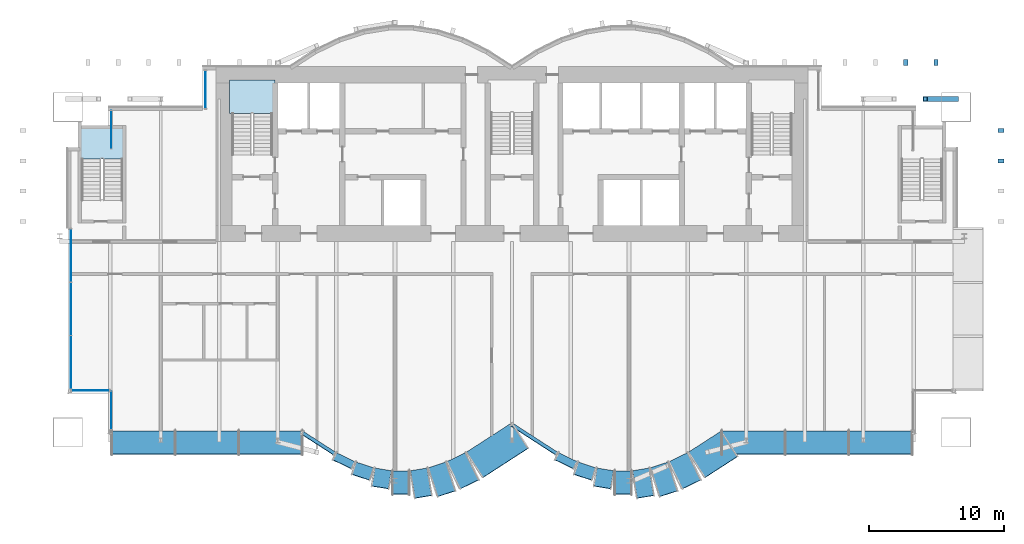
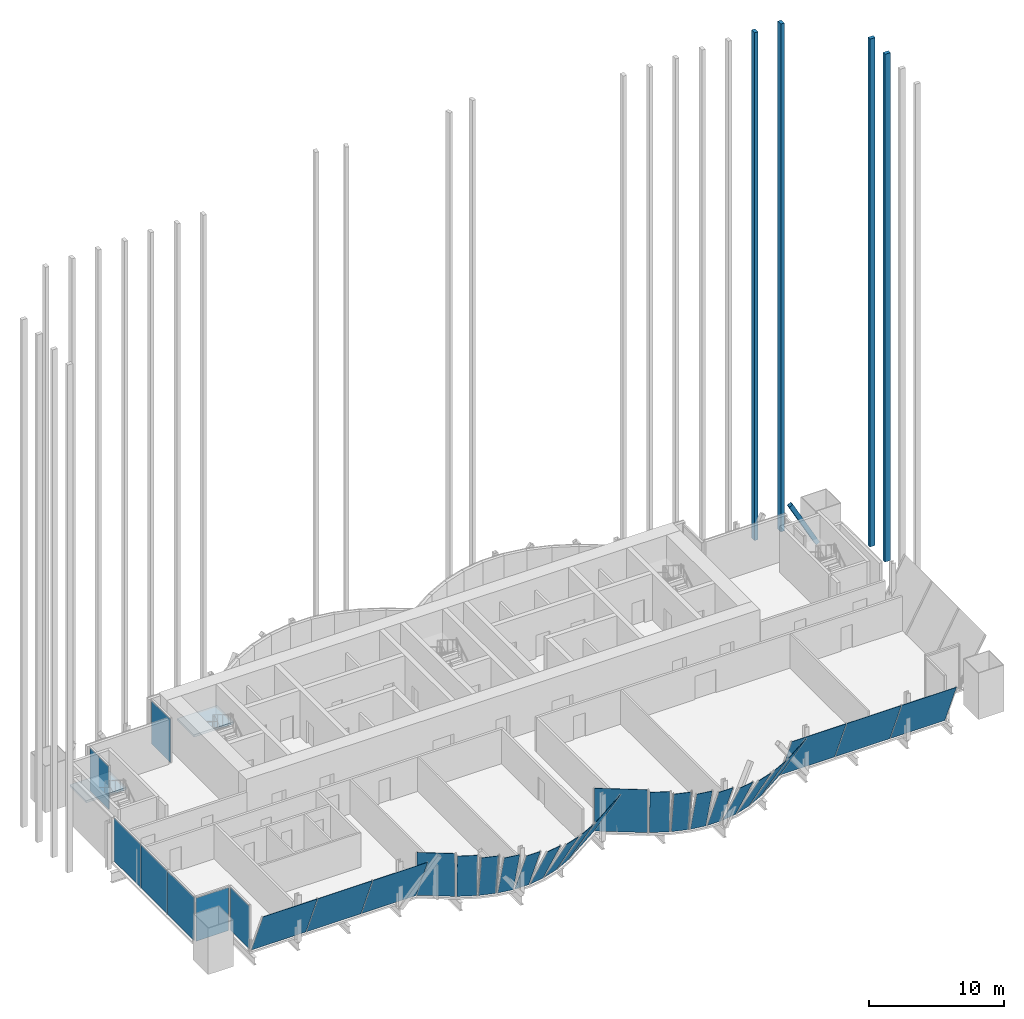
# One storey, part 22 of 28: 31 plates, 5 members, 2 slabs, 29 elements without a shape of their own.
"""IFC4 building model written with IfcOpenShell, lengths in metres."""

from ifc_helpers import new_model, si_unit, direction, frame, origin, origin_2d, place, context, subcontext, project, spatial, polyline, rectangle, hollow_rectangle, outline, extrude, material, layer, layer_set, material_profile, profile_set, type_object, element, aggregate, save


model = new_model("IFC4")

# Units and contexts
model_context = context("Model", 3, precision=1e-05, world=origin(), true_north=direction((0.0, 1.0)))
body_context = subcontext(model_context, "Body", "Model", "MODEL_VIEW")
ifc_project = project(units=[si_unit("LENGTHUNIT", "METRE"), si_unit("AREAUNIT", "SQUARE_METRE"), si_unit("VOLUMEUNIT", "CUBIC_METRE"), si_unit("PLANEANGLEUNIT", "RADIAN"), si_unit("MASSUNIT", "GRAM", prefix="KILO")], contexts=[model_context])

# Site, building, storey
site_placement = place(None, origin())
site = spatial("IfcSite", under=ifc_project, at=site_placement, CompositionType="ELEMENT")
building_placement = place(site_placement, origin())
building = spatial("IfcBuilding", under=site, at=building_placement, Name="Bicima Exchange Tower", CompositionType="ELEMENT")
storey_placement = place(building_placement, frame((0.0, 0.0, 241.39990234375)))
storey = spatial("IfcBuildingStorey", under=building, at=storey_placement, Name="L54", CompositionType="ELEMENT", Elevation=241.39990234375)

# Member
ifc_material_1 = material(Name="Steel ASTM A572 Gr 50", Category="steel")
ifc_material_profile_1 = material_profile(ifc_material_1, hollow_rectangle(XDim=0.355712890625, YDim=0.355712890625, WallThickness=0.0146484375, at=origin_2d()))
ifc_profile_set_1 = profile_set([ifc_material_profile_1], Name="Steel ASTM A572 Gr 50")
member_type_1 = type_object("IfcMemberType", Name="Mega brace HSS14x14x5/8", PredefinedType="BRACE", material=ifc_profile_set_1)
member_1_placement = place(storey_placement, frame((33.0, -2.39990234375, 0.0), z_axis=(-0.480305284586, 0.0, 0.877101381597), x_axis=(0.0, -1.0, 0.0)))
element("IfcMember", 1, at=member_1_placement, inside=storey, type_object=member_type_1, Name="Mega brace rear", PredefinedType="BRACE", context=body_context, shape_type="SweptSolid", body=[
    extrude(hollow_rectangle(XDim=0.355712890625, YDim=0.355712890625, WallThickness=0.0146484375, at=origin_2d()), origin(), (0.0, 0.0, 1.0), 4.788818359375),
])

# Curtain wall, members
ifc_material_2 = material(Name="Anodised bronze aluminium", Category="aluminium")
curtain_wall_type_1 = type_object("IfcCurtainWallType", Name="Rear blade screen", PredefinedType="NOTDEFINED", material=ifc_material_2)
curtain_wall_1_placement = place(storey_placement, origin())
curtain_wall_1 = element("IfcCurtainWall", 2, at=curtain_wall_1_placement, inside=storey, type_object=curtain_wall_type_1, Name="Rear blade screen L54-L64 E", PredefinedType="NOTDEFINED")
ifc_material_profile_2 = material_profile(ifc_material_2, rectangle(XDim=0.449951171875, YDim=0.300048828125, at=origin_2d()))
ifc_profile_set_2 = profile_set([ifc_material_profile_2], Name="Anodised bronze aluminium")
member_type_2 = type_object("IfcMemberType", Name="Rear blade fin 450 x 300", PredefinedType="USERDEFINED", material=ifc_profile_set_2)
member_2_placement = place(storey_placement, frame((29.25, 0.324951171875, 0.0), z_axis=(0.0, 0.0, 1.0), x_axis=(0.0, 1.0, 0.0)))
member_2 = element("IfcMember", 3, at=member_2_placement, type_object=member_type_2, Name="Rear blade fin L54-L64 18", ObjectType="FIN", PredefinedType="USERDEFINED", context=body_context, shape_type="SweptSolid", body=[
    extrude(rectangle(XDim=0.449951171875, YDim=0.300048828125, at=origin_2d()), origin(), (0.0, 0.0, 1.0), 46.0),
])
member_3_placement = place(storey_placement, frame((31.5, 0.324951171875, 0.0), z_axis=(0.0, 0.0, 1.0), x_axis=(0.0, 1.0, 0.0)))
member_3 = element("IfcMember", 4, at=member_3_placement, type_object=member_type_2, Name="Rear blade fin L54-L64 19", ObjectType="FIN", PredefinedType="USERDEFINED", context=body_context, shape_type="SweptSolid", body=[
    extrude(rectangle(XDim=0.449951171875, YDim=0.300048828125, at=origin_2d()), origin(), (0.0, 0.0, 1.0), 46.0),
])
aggregate(curtain_wall_1, [member_2, member_3])

curtain_wall_2_placement = place(storey_placement, origin())
curtain_wall_2 = element("IfcCurtainWall", 5, at=curtain_wall_2_placement, inside=storey, type_object=curtain_wall_type_1, Name="End blade screen L54-L64", PredefinedType="NOTDEFINED")
member_4_placement = place(storey_placement, frame((36.324951171875, -7.0, 0.0), z_axis=(0.0, 0.0, 1.0), x_axis=(1.0, 0.0, 0.0)))
member_4 = element("IfcMember", 6, at=member_4_placement, type_object=member_type_2, Name="End blade fin L54-L64 3", ObjectType="FIN", PredefinedType="USERDEFINED", context=body_context, shape_type="SweptSolid", body=[
    extrude(rectangle(XDim=0.449951171875, YDim=0.300048828125, at=origin_2d()), origin(), (0.0, 0.0, 1.0), 46.0),
])
member_5_placement = place(storey_placement, frame((36.324951171875, -4.75, 0.0), z_axis=(0.0, 0.0, 1.0), x_axis=(1.0, 0.0, 0.0)))
member_5 = element("IfcMember", 7, at=member_5_placement, type_object=member_type_2, Name="End blade fin L54-L64 4", ObjectType="FIN", PredefinedType="USERDEFINED", context=body_context, shape_type="SweptSolid", body=[
    extrude(rectangle(XDim=0.449951171875, YDim=0.300048828125, at=origin_2d()), origin(), (0.0, 0.0, 1.0), 46.0),
])
aggregate(curtain_wall_2, [member_4, member_5])

# Curtain wall, plates
curtain_wall_type_2 = type_object("IfcCurtainWallType", Name="End face glass wall", PredefinedType="NOTDEFINED", material=ifc_material_2)
curtain_wall_3_placement = place(storey_placement, origin())
curtain_wall_3 = element("IfcCurtainWall", 8, at=curtain_wall_3_placement, inside=storey, type_object=curtain_wall_type_2, Name="End face glass wall L54 run 6", PredefinedType="NOTDEFINED")
ifc_material_3 = material(Name="Bronze tinted glass", Category="glass")
ifc_layer_1 = layer(ifc_material_3, 0.031982421875)
ifc_layer_set_1 = layer_set([ifc_layer_1], Name="Bronze tinted glass")
plate_type_1 = type_object("IfcPlateType", Name="End face glass wall glass panel 32", PredefinedType="CURTAIN_PANEL", material=ifc_layer_set_1)
plate_1_placement = place(storey_placement, frame((-32.77001953125, -14.016357421875, 0.0), z_axis=(0.0, 0.0, 1.0), x_axis=(0.0, -1.0, 0.0)))
plate_1 = element("IfcPlate", 9, at=plate_1_placement, type_object=plate_type_1, Name="End face glass wall panel 1.1", PredefinedType="CURTAIN_PANEL", context=body_context, shape_type="SweptSolid", body=[
    extrude(rectangle(XDim=3.91259765625, YDim=0.031982421875, at=origin_2d()), origin(), (0.0, 0.0, 1.0), 3.909912109375),
])
ifc_material_4 = material(Name="Bronze anodised aluminium", Category="aluminium")
ifc_layer_2 = layer(ifc_material_4, 0.031982421875)
ifc_layer_set_2 = layer_set([ifc_layer_2], Name="Bronze anodised aluminium")
plate_type_2 = type_object("IfcPlateType", Name="End face glass wall spandrel panel 32", PredefinedType="CURTAIN_PANEL", material=ifc_layer_set_2)
plate_2_placement = place(storey_placement, frame((-32.77001953125, -17.989013671875, 0.0), z_axis=(0.0, 0.0, 1.0), x_axis=(0.0, -1.0, 0.0)))
plate_2 = element("IfcPlate", 10, at=plate_2_placement, type_object=plate_type_2, Name="End face spandrel wall panel 2.1", PredefinedType="CURTAIN_PANEL", context=body_context, shape_type="SweptSolid", body=[
    extrude(rectangle(XDim=3.91259765625, YDim=0.031982421875, at=origin_2d()), origin(), (0.0, 0.0, 1.0), 3.909912109375),
])
plate_3_placement = place(storey_placement, frame((-32.77001953125, -21.961669921875, 0.0), z_axis=(0.0, 0.0, 1.0), x_axis=(0.0, -1.0, 0.0)))
plate_3 = element("IfcPlate", 11, at=plate_3_placement, type_object=plate_type_2, Name="End face spandrel wall panel 3.1", PredefinedType="CURTAIN_PANEL", context=body_context, shape_type="SweptSolid", body=[
    extrude(rectangle(XDim=3.91259765625, YDim=0.031982421875, at=origin_2d()), origin(), (0.0, 0.0, 1.0), 3.909912109375),
])
aggregate(curtain_wall_3, [plate_1, plate_2, plate_3])

# Curtain wall, plate
curtain_wall_type_3 = type_object("IfcCurtainWallType", Name="Front glass wall", PredefinedType="NOTDEFINED", material=ifc_material_2)
curtain_wall_4_placement = place(storey_placement, origin())
curtain_wall_4 = element("IfcCurtainWall", 12, at=curtain_wall_4_placement, inside=storey, type_object=curtain_wall_type_3, Name="Front glass wall L54 run 4", PredefinedType="NOTDEFINED")
ifc_layer_3 = layer(ifc_material_3, 0.031982421875)
ifc_layer_set_3 = layer_set([ifc_layer_3], Name="Bronze tinted glass")
plate_type_3 = type_object("IfcPlateType", Name="Front glass wall glass panel 32", PredefinedType="CURTAIN_PANEL", material=ifc_layer_set_3)
plate_4_placement = place(storey_placement, frame((-22.77001953125, -1.68994140625, 0.0), z_axis=(0.0, 0.0, 1.0), x_axis=(0.0, -1.0, 0.0)))
plate_4 = element("IfcPlate", 13, at=plate_4_placement, type_object=plate_type_3, Name="Front glass wall panel 1.1", PredefinedType="CURTAIN_PANEL", context=body_context, shape_type="SweptSolid", body=[
    extrude(rectangle(XDim=2.800048828125, YDim=0.031982421875, at=origin_2d()), origin(), (0.0, 0.0, 1.0), 3.909912109375),
])
aggregate(curtain_wall_4, [plate_4])

curtain_wall_5_placement = place(storey_placement, origin())
curtain_wall_5 = element("IfcCurtainWall", 14, at=curtain_wall_5_placement, inside=storey, type_object=curtain_wall_type_3, Name="Front glass wall L54 run 5", PredefinedType="NOTDEFINED")
plate_5_placement = place(storey_placement, frame((-29.77001953125, -4.68994140625, 0.0), z_axis=(0.0, 0.0, 1.0), x_axis=(0.0, -1.0, 0.0)))
plate_5 = element("IfcPlate", 15, at=plate_5_placement, type_object=plate_type_3, Name="Front glass wall panel 1.1", PredefinedType="CURTAIN_PANEL", context=body_context, shape_type="SweptSolid", body=[
    extrude(rectangle(XDim=2.800048828125, YDim=0.031982421875, at=origin_2d()), origin(), (0.0, 0.0, 1.0), 3.909912109375),
])
aggregate(curtain_wall_5, [plate_5])

curtain_wall_6_placement = place(storey_placement, origin())
curtain_wall_6 = element("IfcCurtainWall", 16, at=curtain_wall_6_placement, inside=storey, type_object=curtain_wall_type_3, Name="Front glass wall L54 run 7", PredefinedType="NOTDEFINED")
plate_6_placement = place(storey_placement, frame((-31.31005859375, -24.05810546875, 0.0), z_axis=(0.0, 0.0, 1.0), x_axis=(1.0, 0.0, 0.0)))
plate_6 = element("IfcPlate", 17, at=plate_6_placement, type_object=plate_type_3, Name="Front glass wall panel 1.1", PredefinedType="CURTAIN_PANEL", context=body_context, shape_type="SweptSolid", body=[
    extrude(rectangle(XDim=2.800048828125, YDim=0.031982421875, at=origin_2d()), origin(), (0.0, 0.0, 1.0), 3.909912109375),
])
aggregate(curtain_wall_6, [plate_6])

curtain_wall_7_placement = place(storey_placement, origin())
curtain_wall_7 = element("IfcCurtainWall", 18, at=curtain_wall_7_placement, inside=storey, type_object=curtain_wall_type_3, Name="Front glass wall L54 run 8", PredefinedType="NOTDEFINED")
plate_7_placement = place(storey_placement, frame((-29.77001953125, -25.51806640625, 0.0), z_axis=(0.0, 0.0, 1.0), x_axis=(0.0, -1.0, 0.0)))
plate_7 = element("IfcPlate", 19, at=plate_7_placement, type_object=plate_type_3, Name="Front glass wall panel 1.1", PredefinedType="CURTAIN_PANEL", context=body_context, shape_type="SweptSolid", body=[
    extrude(rectangle(XDim=2.800048828125, YDim=0.031982421875, at=origin_2d()), origin(), (0.0, 0.0, 1.0), 3.909912109375),
])
aggregate(curtain_wall_7, [plate_7])

curtain_wall_8_placement = place(storey_placement, origin())
curtain_wall_8 = element("IfcCurtainWall", 20, at=curtain_wall_8_placement, inside=storey, type_object=curtain_wall_type_3, Name="Canted glass wall L54 37.1", PredefinedType="NOTDEFINED")
plate_8_placement = place(storey_placement, frame((-13.025390625, -28.67919921875, 0.0), z_axis=(0.431776501184, 0.890544084418, 0.14317921195), x_axis=(0.899814421388, -0.436272858374, 1.041098e-05)))
plate_8 = element("IfcPlate", 21, at=plate_8_placement, type_object=plate_type_3, Name="Canted glass panel 1", PredefinedType="CURTAIN_PANEL", context=body_context, shape_type="SweptSolid", body=[
    extrude(outline(polyline([(0.0, 0.0), (1.4950435887263467, -1.3877787807814457e-17), (1.4950387327147414, -4.092196066246499), (0.00010165591670886756, -4.092227518938038), (0.0, 0.0)])), origin(), (0.0, 0.0, -1.0), 0.031982421875),
])
aggregate(curtain_wall_8, [plate_8])

curtain_wall_9_placement = place(storey_placement, origin())
curtain_wall_9 = element("IfcCurtainWall", 22, at=curtain_wall_9_placement, inside=storey, type_object=curtain_wall_type_3, Name="Canted glass wall L54 40.1", PredefinedType="NOTDEFINED")
plate_9_placement = place(storey_placement, frame((-8.847412109375, -30.02099609375, 0.0), z_axis=(0.0, 0.919717587654, 0.392580640073), x_axis=(1.0, 0.0, 0.0)))
plate_9 = element("IfcPlate", 23, at=plate_9_placement, type_object=plate_type_3, Name="Canted glass panel 1", PredefinedType="CURTAIN_PANEL", context=body_context, shape_type="SweptSolid", body=[
    extrude(outline(polyline([(0.0, 0.0), (1.19482421875, 0.0), (1.19482421875, -4.403578753405063), (0.0, -4.403578753405063), (0.0, 0.0)])), origin(), (0.0, 0.0, -1.0), 0.031982421875),
])
aggregate(curtain_wall_9, [plate_9])

curtain_wall_10_placement = place(storey_placement, origin())
curtain_wall_10 = element("IfcCurtainWall", 24, at=curtain_wall_10_placement, inside=storey, type_object=curtain_wall_type_3, Name="Canted glass wall L54 41.1", PredefinedType="NOTDEFINED")
plate_10_placement = place(storey_placement, frame((-7.533447265625, -30.011474609375, 0.0), z_axis=(-0.142259957474, 0.879802730791, 0.453551826578), x_axis=(0.987177679185, 0.159625278943, -6.39763e-06)))
plate_10 = element("IfcPlate", 25, at=plate_10_placement, type_object=plate_type_3, Name="Canted glass panel 1", PredefinedType="CURTAIN_PANEL", context=body_context, shape_type="SweptSolid", body=[
    extrude(outline(polyline([(0.0, 0.0), (1.231120321419176, 0.0), (1.2311916853195508, -4.544345616950751), (-0.00016964627520762776, -4.544327940201365), (0.0, 0.0)])), origin(), (0.0, 0.0, -1.0), 0.031982421875),
])
aggregate(curtain_wall_10, [plate_10])

curtain_wall_11_placement = place(storey_placement, origin())
curtain_wall_11 = element("IfcCurtainWall", 26, at=curtain_wall_11_placement, inside=storey, type_object=curtain_wall_type_3, Name="Canted glass wall L54 42.1", PredefinedType="NOTDEFINED")
plate_11_placement = place(storey_placement, frame((-6.20166015625, -29.786865234375, 0.0), z_axis=(-0.269014566992, 0.832226342462, 0.484799420027), x_axis=(0.951529509562, 0.307557459792, 3.6879449e-05)))
plate_11 = element("IfcPlate", 27, at=plate_11_placement, type_object=plate_type_3, Name="Canted glass panel 1", PredefinedType="CURTAIN_PANEL", context=body_context, shape_type="SweptSolid", body=[
    extrude(outline(polyline([(0.0, 0.0), (1.335454771639976, 0.0), (1.3356298279146834, -4.630553554009467), (9.996900425053066e-05, -4.630666178734927), (0.0, 0.0)])), origin(), (0.0, 0.0, -1.0), 0.031982421875),
])
aggregate(curtain_wall_11, [plate_11])

curtain_wall_12_placement = place(storey_placement, origin())
curtain_wall_12 = element("IfcCurtainWall", 28, at=curtain_wall_12_placement, inside=storey, type_object=curtain_wall_type_3, Name="Canted glass wall L54 43.1", PredefinedType="NOTDEFINED")
plate_12_placement = place(storey_placement, frame((-4.81982421875, -29.33154296875, 0.0), z_axis=(-0.38156767222, 0.78698778736, 0.48482608641), x_axis=(0.899807543739, 0.436287042278, -3.1153739e-05)))
plate_12 = element("IfcPlate", 29, at=plate_12_placement, type_object=plate_type_3, Name="Canted glass panel 1", PredefinedType="CURTAIN_PANEL", context=body_context, shape_type="SweptSolid", body=[
    extrude(outline(polyline([(0.0, 0.0), (1.495043589592079, 0.0), (1.4948570127521394, -4.630741378594591), (-8.006144875858675e-05, -4.630634875107605), (0.0, 0.0)])), origin(), (0.0, 0.0, -1.0), 0.031982421875),
])
aggregate(curtain_wall_12, [plate_12])

curtain_wall_13_placement = place(storey_placement, origin())
curtain_wall_13 = element("IfcCurtainWall", 30, at=curtain_wall_13_placement, inside=storey, type_object=curtain_wall_type_3, Name="Canted glass wall L54 45.1", PredefinedType="NOTDEFINED")
plate_13_placement = place(storey_placement, frame((0.05029296875, -26.474365234375, 0.0), z_axis=(0.541910995643, 0.83826375546, 0.060385007112), x_axis=(0.839796215691, -0.542901755486, 1.010465e-06)))
plate_13 = element("IfcPlate", 31, at=plate_13_placement, type_object=plate_type_3, Name="Canted glass panel 1", PredefinedType="CURTAIN_PANEL", context=body_context, shape_type="SweptSolid", body=[
    extrude(outline(polyline([(0.0, 0.0), (3.953173406602993, -1.3877787807814457e-17), (3.9533769713350018, -4.057449026881709), (-1.4636409626599784e-06, -4.057457030781466), (0.0, 0.0)])), origin(), (0.0, 0.0, -1.0), 0.031982421875),
])
aggregate(curtain_wall_13, [plate_13])

curtain_wall_14_placement = place(storey_placement, origin())
curtain_wall_14 = element("IfcCurtainWall", 32, at=curtain_wall_14_placement, inside=storey, type_object=curtain_wall_type_3, Name="Canted glass wall L54 46.1", PredefinedType="NOTDEFINED")
plate_14_placement = place(storey_placement, frame((3.474609375, -28.67919921875, 0.0), z_axis=(0.431776501184, 0.890544084418, 0.14317921195), x_axis=(0.899814421388, -0.436272858374, 1.041098e-05)))
plate_14 = element("IfcPlate", 33, at=plate_14_placement, type_object=plate_type_3, Name="Canted glass panel 1", PredefinedType="CURTAIN_PANEL", context=body_context, shape_type="SweptSolid", body=[
    extrude(outline(polyline([(0.0, 0.0), (1.4950435887263467, -1.3877787807814457e-17), (1.4950387327147414, -4.092196066246499), (0.00010165591670886756, -4.092227518938038), (0.0, 0.0)])), origin(), (0.0, 0.0, -1.0), 0.031982421875),
])
aggregate(curtain_wall_14, [plate_14])

curtain_wall_15_placement = place(storey_placement, origin())
curtain_wall_15 = element("IfcCurtainWall", 34, at=curtain_wall_15_placement, inside=storey, type_object=curtain_wall_type_3, Name="Canted glass wall L54 47.1", PredefinedType="NOTDEFINED")
plate_15_placement = place(storey_placement, frame((4.930908203125, -29.376220703125, 0.0), z_axis=(0.299263077242, 0.925803457381, 0.230931957298), x_axis=(0.951524649378, -0.307572497542, -1.9542661e-05)))
plate_15 = element("IfcPlate", 35, at=plate_15_placement, type_object=plate_type_3, Name="Canted glass panel 1", PredefinedType="CURTAIN_PANEL", context=body_context, shape_type="SweptSolid", body=[
    extrude(outline(polyline([(0.0, 0.0), (1.3354547707221571, 1.3877787807814457e-17), (1.3354190296775732, -4.16259014418862), (-0.00011083198636663694, -4.162536495922484), (0.0, 0.0)])), origin(), (0.0, 0.0, -1.0), 0.031982421875),
])
aggregate(curtain_wall_15, [plate_15])

curtain_wall_16_placement = place(storey_placement, origin())
curtain_wall_16 = element("IfcCurtainWall", 36, at=curtain_wall_16_placement, inside=storey, type_object=curtain_wall_type_3, Name="Canted glass wall L54 48.1", PredefinedType="NOTDEFINED")
plate_16_placement = place(storey_placement, frame((6.318115234375, -29.81494140625, 0.0), z_axis=(0.151425455497, 0.936392444056, 0.316606257271), x_axis=(0.987175672422, -0.159637689092, 0.0)))
plate_16 = element("IfcPlate", 37, at=plate_16_placement, type_object=plate_type_3, Name="Canted glass panel 1", PredefinedType="CURTAIN_PANEL", context=body_context, shape_type="SweptSolid", body=[
    extrude(outline(polyline([(0.0, 0.0), (1.2311203215416533, 6.938893903907228e-18), (1.2310998904272812, -4.2696945074965), (-2.043111437208256e-05, -4.2696945074965), (0.0, 0.0)])), origin(), (0.0, 0.0, -1.0), 0.031982421875),
])
aggregate(curtain_wall_16, [plate_16])

curtain_wall_17_placement = place(storey_placement, origin())
curtain_wall_17 = element("IfcCurtainWall", 38, at=curtain_wall_17_placement, inside=storey, type_object=curtain_wall_type_3, Name="Canted glass wall L54 49.1", PredefinedType="NOTDEFINED")
plate_17_placement = place(storey_placement, frame((7.652587890625, -30.02099609375, 0.0), z_axis=(0.0, 0.919717587654, 0.392580640073), x_axis=(1.0, 0.0, 0.0)))
plate_17 = element("IfcPlate", 39, at=plate_17_placement, type_object=plate_type_3, Name="Canted glass panel 1", PredefinedType="CURTAIN_PANEL", context=body_context, shape_type="SweptSolid", body=[
    extrude(outline(polyline([(0.0, 0.0), (1.19482421875, 0.0), (1.19482421875, -4.403578753405063), (0.0, -4.403578753405063), (0.0, 0.0)])), origin(), (0.0, 0.0, -1.0), 0.031982421875),
])
aggregate(curtain_wall_17, [plate_17])

curtain_wall_18_placement = place(storey_placement, origin())
curtain_wall_18 = element("IfcCurtainWall", 40, at=curtain_wall_18_placement, inside=storey, type_object=curtain_wall_type_3, Name="Canted glass wall L54 52.1", PredefinedType="NOTDEFINED")
plate_18_placement = place(storey_placement, frame((11.68017578125, -29.33154296875, 0.0), z_axis=(-0.38156767222, 0.78698778736, 0.48482608641), x_axis=(0.899807543739, 0.436287042278, -3.1153739e-05)))
plate_18 = element("IfcPlate", 41, at=plate_18_placement, type_object=plate_type_3, Name="Canted glass panel 1", PredefinedType="CURTAIN_PANEL", context=body_context, shape_type="SweptSolid", body=[
    extrude(outline(polyline([(0.0, 0.0), (1.495043589592079, 0.0), (1.4948570127521394, -4.630741378594591), (-8.006144875858675e-05, -4.630634875107605), (0.0, 0.0)])), origin(), (0.0, 0.0, -1.0), 0.031982421875),
])
aggregate(curtain_wall_18, [plate_18])

curtain_wall_19_placement = place(storey_placement, origin())
curtain_wall_19 = element("IfcCurtainWall", 42, at=curtain_wall_19_placement, inside=storey, type_object=curtain_wall_type_3, Name="Canted glass wall L54 53.1", PredefinedType="NOTDEFINED")
plate_19_placement = place(storey_placement, frame((13.1298828125, -28.62060546875, 0.0), z_axis=(-0.474844161927, 0.734504436847, 0.484795064059), x_axis=(0.839790888572, 0.542909995738, 0.0)))
plate_19 = element("IfcPlate", 43, at=plate_19_placement, type_object=plate_type_3, Name="Canted glass panel 1", PredefinedType="CURTAIN_PANEL", context=body_context, shape_type="SweptSolid", body=[
    extrude(outline(polyline([(0.0, 0.0), (2.8182006389410366, 1.1102230246251565e-16), (2.818172594181597, -4.630597084927716), (-2.804475943951815e-05, -4.630597084927716), (0.0, 0.0)])), origin(), (0.0, 0.0, -1.0), 0.031982421875),
])
aggregate(curtain_wall_19, [plate_19])

# Curtain wall, plates
curtain_wall_20_placement = place(storey_placement, origin())
curtain_wall_20 = element("IfcCurtainWall", 44, at=curtain_wall_20_placement, inside=storey, type_object=curtain_wall_type_3, Name="Canted glass wall L54 35.1", PredefinedType="NOTDEFINED")
ifc_layer_4 = layer(ifc_material_4, 0.031982421875)
ifc_layer_set_4 = layer_set([ifc_layer_4], Name="Bronze anodised aluminium")
plate_type_4 = type_object("IfcPlateType", Name="Front glass wall spandrel panel 32", PredefinedType="CURTAIN_PANEL", material=ifc_layer_set_4)
plate_20_placement = place(storey_placement, frame((-29.7099609375, -27.05810546875, 0.0), z_axis=(0.0, 0.919737604754, 0.392533741736), x_axis=(1.0, 0.0, 0.0)))
plate_20 = element("IfcPlate", 45, at=plate_20_placement, type_object=plate_type_4, Name="Canted glass panel 1", PredefinedType="CURTAIN_PANEL", context=body_context, shape_type="SweptSolid", body=[
    extrude(outline(polyline([(0.0, 0.0), (4.660888671875, 0.0), (4.660888671875, -4.403482914247065), (0.0, -4.403482914247065), (0.0, 0.0)])), origin(), (0.0, 0.0, -1.0), 0.031982421875),
])
plate_21_placement = place(storey_placement, frame((-24.989013671875, -27.05810546875, 0.0), z_axis=(0.0, 0.919737604754, 0.392533741736), x_axis=(1.0, 0.0, 0.0)))
plate_21 = element("IfcPlate", 46, at=plate_21_placement, type_object=plate_type_4, Name="Canted glass panel 2", PredefinedType="CURTAIN_PANEL", context=body_context, shape_type="SweptSolid", body=[
    extrude(outline(polyline([(0.0, 0.0), (4.6611328125, 0.0), (4.6611328125, -4.403482914247065), (0.0, -4.403482914247065), (0.0, 0.0)])), origin(), (0.0, 0.0, -1.0), 0.031982421875),
])
plate_22_placement = place(storey_placement, frame((-20.267822265625, -27.05810546875, 0.0), z_axis=(0.0, 0.919737604754, 0.392533741736), x_axis=(1.0, 0.0, 0.0)))
plate_22 = element("IfcPlate", 47, at=plate_22_placement, type_object=plate_type_4, Name="Canted glass panel 3", PredefinedType="CURTAIN_PANEL", context=body_context, shape_type="SweptSolid", body=[
    extrude(outline(polyline([(0.0, 0.0), (4.660888671875, 0.0), (4.660888671875, -4.403482914247065), (0.0, -4.403482914247065), (0.0, 0.0)])), origin(), (0.0, 0.0, -1.0), 0.031982421875),
])
aggregate(curtain_wall_20, [plate_20, plate_21, plate_22])

# Curtain wall, plate
curtain_wall_21_placement = place(storey_placement, origin())
curtain_wall_21 = element("IfcCurtainWall", 48, at=curtain_wall_21_placement, inside=storey, type_object=curtain_wall_type_3, Name="Canted glass wall L54 36.1", PredefinedType="NOTDEFINED")
plate_23_placement = place(storey_placement, frame((-15.49658203125, -27.090576171875, 0.0), z_axis=(0.541899560056, 0.838271148071, 0.060385007431), x_axis=(0.83980360847, -0.542890319676, 1.417379e-06)))
plate_23 = element("IfcPlate", 49, at=plate_23_placement, type_object=plate_type_4, Name="Canted glass panel 1", PredefinedType="CURTAIN_PANEL", context=body_context, shape_type="SweptSolid", body=[
    extrude(outline(polyline([(0.0, 0.0), (2.81820063816469, -1.3877787807814457e-17), (2.818402515455639, -4.057449026966042), (-3.1528869001452164e-06, -4.057457030780528), (0.0, 0.0)])), origin(), (0.0, 0.0, -1.0), 0.031982421875),
])
aggregate(curtain_wall_21, [plate_23])

curtain_wall_22_placement = place(storey_placement, origin())
curtain_wall_22 = element("IfcCurtainWall", 50, at=curtain_wall_22_placement, inside=storey, type_object=curtain_wall_type_3, Name="Canted glass wall L54 38.1", PredefinedType="NOTDEFINED")
plate_24_placement = place(storey_placement, frame((-11.569091796875, -29.376220703125, 0.0), z_axis=(0.299263077242, 0.925803457381, 0.230931957298), x_axis=(0.951524649378, -0.307572497542, -1.9542661e-05)))
plate_24 = element("IfcPlate", 51, at=plate_24_placement, type_object=plate_type_4, Name="Canted glass panel 1", PredefinedType="CURTAIN_PANEL", context=body_context, shape_type="SweptSolid", body=[
    extrude(outline(polyline([(0.0, 0.0), (1.3354547707221571, 1.3877787807814457e-17), (1.3354190296775732, -4.16259014418862), (-0.00011083198636663694, -4.162536495922484), (0.0, 0.0)])), origin(), (0.0, 0.0, -1.0), 0.031982421875),
])
aggregate(curtain_wall_22, [plate_24])

curtain_wall_23_placement = place(storey_placement, origin())
curtain_wall_23 = element("IfcCurtainWall", 52, at=curtain_wall_23_placement, inside=storey, type_object=curtain_wall_type_3, Name="Canted glass wall L54 39.1", PredefinedType="NOTDEFINED")
plate_25_placement = place(storey_placement, frame((-10.181884765625, -29.81494140625, 0.0), z_axis=(0.151425455497, 0.936392444056, 0.316606257271), x_axis=(0.987175672422, -0.159637689092, 0.0)))
plate_25 = element("IfcPlate", 53, at=plate_25_placement, type_object=plate_type_4, Name="Canted glass panel 1", PredefinedType="CURTAIN_PANEL", context=body_context, shape_type="SweptSolid", body=[
    extrude(outline(polyline([(0.0, 0.0), (1.2311203215416533, 6.938893903907228e-18), (1.2310998904272812, -4.2696945074965), (-2.043111437208256e-05, -4.2696945074965), (0.0, 0.0)])), origin(), (0.0, 0.0, -1.0), 0.031982421875),
])
aggregate(curtain_wall_23, [plate_25])

curtain_wall_24_placement = place(storey_placement, origin())
curtain_wall_24 = element("IfcCurtainWall", 54, at=curtain_wall_24_placement, inside=storey, type_object=curtain_wall_type_3, Name="Canted glass wall L54 44.1", PredefinedType="NOTDEFINED")
plate_26_placement = place(storey_placement, frame((-3.3701171875, -28.62060546875, 0.0), z_axis=(-0.474849223351, 0.734501164728, 0.484795064018), x_axis=(0.839787147394, 0.54291578267, 0.0)))
plate_26 = element("IfcPlate", 55, at=plate_26_placement, type_object=plate_type_4, Name="Canted glass panel 1", PredefinedType="CURTAIN_PANEL", context=body_context, shape_type="SweptSolid", body=[
    extrude(outline(polyline([(0.0, 0.0), (3.9531734071564717, 1.1102230246251565e-16), (3.953129893000348, -4.630597084808189), (-4.3514156123247716e-05, -4.630597084808189), (0.0, 0.0)])), origin(), (0.0, 0.0, -1.0), 0.031982421875),
])
aggregate(curtain_wall_24, [plate_26])

curtain_wall_25_placement = place(storey_placement, origin())
curtain_wall_25 = element("IfcCurtainWall", 56, at=curtain_wall_25_placement, inside=storey, type_object=curtain_wall_type_3, Name="Canted glass wall L54 50.1", PredefinedType="NOTDEFINED")
plate_27_placement = place(storey_placement, frame((8.966552734375, -30.011474609375, 0.0), z_axis=(-0.142259957474, 0.879802730791, 0.453551826578), x_axis=(0.987177679185, 0.159625278943, -6.39763e-06)))
plate_27 = element("IfcPlate", 57, at=plate_27_placement, type_object=plate_type_4, Name="Canted glass panel 1", PredefinedType="CURTAIN_PANEL", context=body_context, shape_type="SweptSolid", body=[
    extrude(outline(polyline([(0.0, 0.0), (1.231120321419176, 0.0), (1.2311916853195508, -4.544345616950751), (-0.00016964627520762776, -4.544327940201365), (0.0, 0.0)])), origin(), (0.0, 0.0, -1.0), 0.031982421875),
])
aggregate(curtain_wall_25, [plate_27])

curtain_wall_26_placement = place(storey_placement, origin())
curtain_wall_26 = element("IfcCurtainWall", 58, at=curtain_wall_26_placement, inside=storey, type_object=curtain_wall_type_3, Name="Canted glass wall L54 51.1", PredefinedType="NOTDEFINED")
plate_28_placement = place(storey_placement, frame((10.29833984375, -29.786865234375, 0.0), z_axis=(-0.269014566992, 0.832226342462, 0.484799420027), x_axis=(0.951529509562, 0.307557459792, 3.6879449e-05)))
plate_28 = element("IfcPlate", 59, at=plate_28_placement, type_object=plate_type_4, Name="Canted glass panel 1", PredefinedType="CURTAIN_PANEL", context=body_context, shape_type="SweptSolid", body=[
    extrude(outline(polyline([(0.0, 0.0), (1.335454771639976, 0.0), (1.3356298279146834, -4.630553554009467), (9.996900425053066e-05, -4.630666178734927), (0.0, 0.0)])), origin(), (0.0, 0.0, -1.0), 0.031982421875),
])
aggregate(curtain_wall_26, [plate_28])

# Curtain wall, plates
curtain_wall_27_placement = place(storey_placement, origin())
curtain_wall_27 = element("IfcCurtainWall", 60, at=curtain_wall_27_placement, inside=storey, type_object=curtain_wall_type_3, Name="Canted glass wall L54 54.1", PredefinedType="NOTDEFINED")
plate_29_placement = place(storey_placement, frame((15.60693359375, -27.05810546875, 0.0), z_axis=(0.0, 0.919737604754, 0.392533741736), x_axis=(1.0, 0.0, 0.0)))
plate_29 = element("IfcPlate", 61, at=plate_29_placement, type_object=plate_type_4, Name="Canted glass panel 1", PredefinedType="CURTAIN_PANEL", context=body_context, shape_type="SweptSolid", body=[
    extrude(outline(polyline([(0.0, 0.0), (4.660888671875, 0.0), (4.660888671875, -4.403482914247065), (0.0, -4.403482914247065), (0.0, 0.0)])), origin(), (0.0, 0.0, -1.0), 0.031982421875),
])
plate_30_placement = place(storey_placement, frame((20.327880859375, -27.05810546875, 0.0), z_axis=(0.0, 0.919737604754, 0.392533741736), x_axis=(1.0, 0.0, 0.0)))
plate_30 = element("IfcPlate", 62, at=plate_30_placement, type_object=plate_type_4, Name="Canted glass panel 2", PredefinedType="CURTAIN_PANEL", context=body_context, shape_type="SweptSolid", body=[
    extrude(outline(polyline([(0.0, 0.0), (4.6611328125, 0.0), (4.6611328125, -4.403482914247065), (0.0, -4.403482914247065), (0.0, 0.0)])), origin(), (0.0, 0.0, -1.0), 0.031982421875),
])
plate_31_placement = place(storey_placement, frame((25.049072265625, -27.05810546875, 0.0), z_axis=(0.0, 0.919737604754, 0.392533741736), x_axis=(1.0, 0.0, 0.0)))
plate_31 = element("IfcPlate", 63, at=plate_31_placement, type_object=plate_type_4, Name="Canted glass panel 3", PredefinedType="CURTAIN_PANEL", context=body_context, shape_type="SweptSolid", body=[
    extrude(outline(polyline([(0.0, 0.0), (4.660888671875, 0.0), (4.660888671875, -4.403482914247065), (0.0, -4.403482914247065), (0.0, 0.0)])), origin(), (0.0, 0.0, -1.0), 0.031982421875),
])
aggregate(curtain_wall_27, [plate_29, plate_30, plate_31])

# Stair, slab
ifc_material_5 = material(Name="Concrete C50/60", Category="concrete")
stair_type = type_object("IfcStairType", Name="Exit stair", PredefinedType="HALF_TURN_STAIR", material=ifc_material_5)
stair_1_placement = place(storey_placement, origin())
stair_1 = element("IfcStair", 64, at=stair_1_placement, inside=storey, type_object=stair_type, Name="L54 West exit stair", PredefinedType="HALF_TURN_STAIR")
ifc_layer_5 = layer(ifc_material_5, 0.199951171875)
ifc_layer_set_5 = layer_set([ifc_layer_5], Name="Concrete C50/60")
slab_type = type_object("IfcSlabType", Name="Stair landing slab", PredefinedType="LANDING", material=ifc_layer_set_5)
slab_1_placement = place(storey_placement, frame((0.0, 0.0, 1.900146484375)))
slab_1 = element("IfcSlab", 65, at=slab_1_placement, type_object=slab_type, Name="ST-W landing 1", PredefinedType="LANDING", context=body_context, shape_type="SweptSolid", body=[
    extrude(outline(polyline([(-17.60009765625, -3.469970703125), (-17.60009765625, -1.0), (-21.0, -1.0), (-21.0, -3.469970703125), (-17.60009765625, -3.469970703125)])), origin(), (0.0, 0.0, 1.0), 0.199951171875),
])
aggregate(stair_1, [slab_1])

stair_2_placement = place(storey_placement, origin())
stair_2 = element("IfcStair", 66, at=stair_2_placement, inside=storey, type_object=stair_type, Name="L54 West end exit stair", PredefinedType="HALF_TURN_STAIR")
slab_2_placement = place(storey_placement, frame((0.0, 0.0, 1.900146484375)))
slab_2 = element("IfcSlab", 67, at=slab_2_placement, type_object=slab_type, Name="ST-WW landing 1", PredefinedType="LANDING", context=body_context, shape_type="SweptSolid", body=[
    extrude(outline(polyline([(-28.72509765625, -6.844970703125), (-28.72509765625, -4.425048828125), (-32.175048828125, -4.425048828125), (-32.175048828125, -6.844970703125), (-28.72509765625, -6.844970703125)])), origin(), (0.0, 0.0, 1.0), 0.199951171875),
])
aggregate(stair_2, [slab_2])

save(model, "model.ifc")
